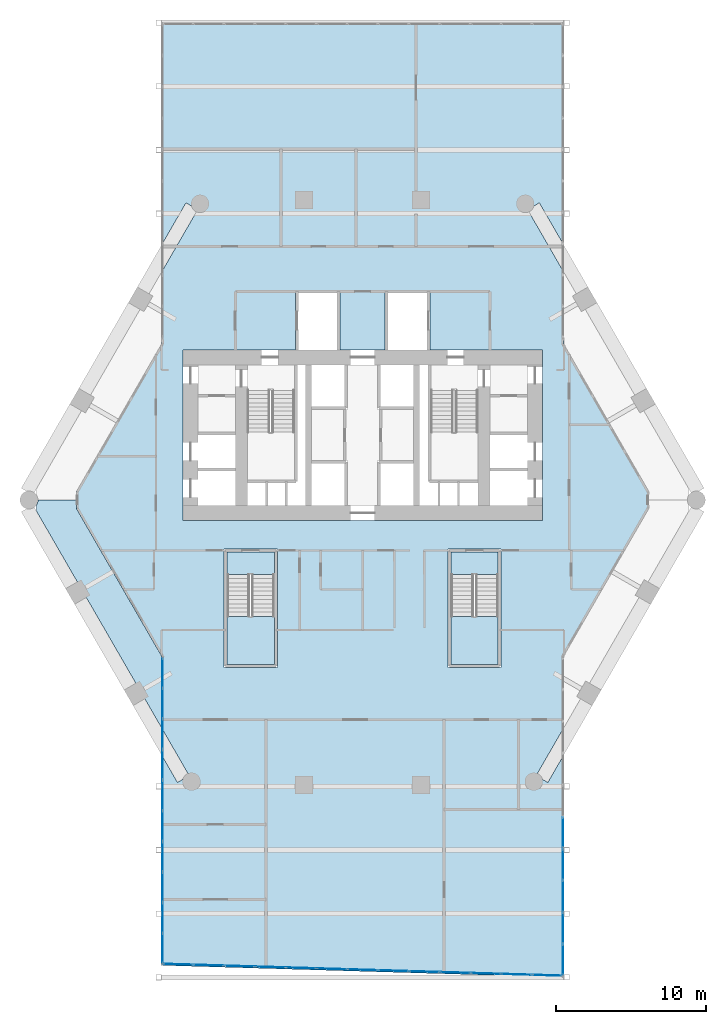
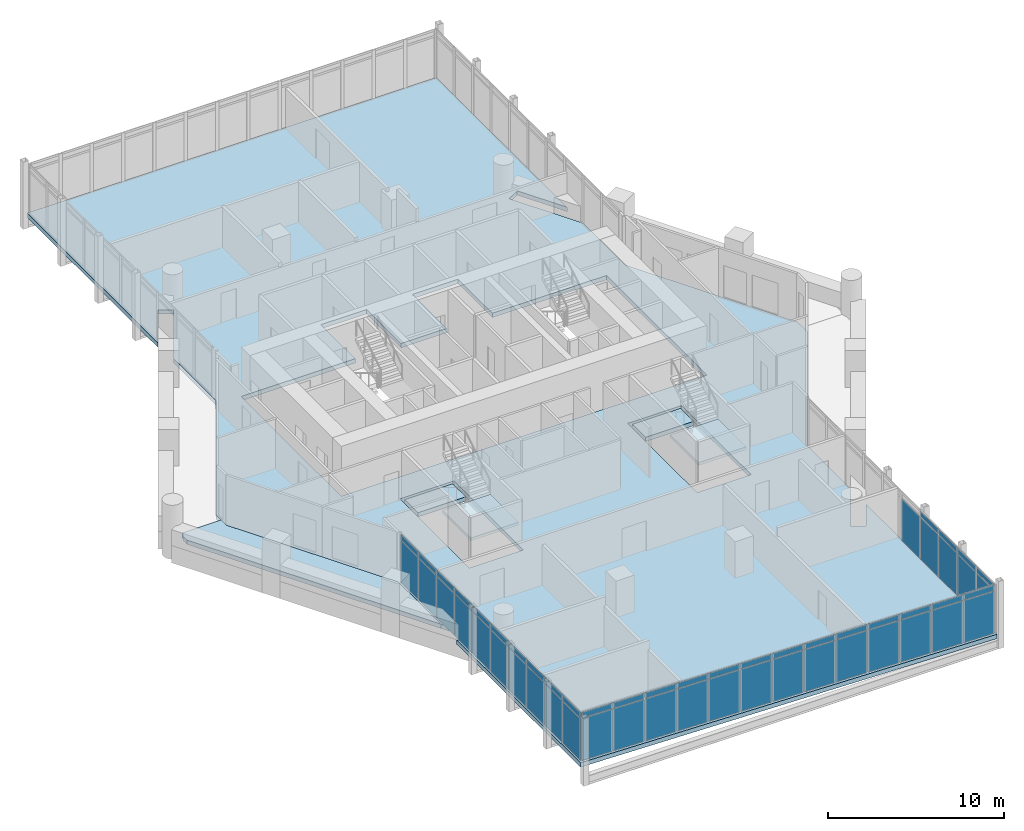
# One storey, part 20 of 28: 55 plates, 6 slabs, 5 elements without a shape of their own.
"""IFC4 building model written with IfcOpenShell, lengths in metres."""

from ifc_helpers import new_model, si_unit, direction, frame, origin, origin_2d, place, context, subcontext, project, spatial, polyline, rectangle, outline, extrude, material, layer, layer_set, type_object, element, aggregate, save


model = new_model("IFC4")

# Units and contexts
model_context = context("Model", 3, precision=1e-05, world=origin(), true_north=direction((0.0, 1.0)))
body_context = subcontext(model_context, "Body", "Model", "MODEL_VIEW")
ifc_project = project(units=[si_unit("LENGTHUNIT", "METRE"), si_unit("AREAUNIT", "SQUARE_METRE"), si_unit("VOLUMEUNIT", "CUBIC_METRE"), si_unit("PLANEANGLEUNIT", "RADIAN"), si_unit("MASSUNIT", "GRAM", prefix="KILO")], contexts=[model_context])

# Site, building, storey
site_placement = place(None, origin())
site = spatial("IfcSite", under=ifc_project, at=site_placement, CompositionType="ELEMENT")
building_placement = place(site_placement, origin())
building = spatial("IfcBuilding", under=site, at=building_placement, Name="Ostrander Bayou Hotel Tower", CompositionType="ELEMENT")
storey_placement = place(building_placement, frame((0.0, 0.0, 104.25)))
storey = spatial("IfcBuildingStorey", under=building, at=storey_placement, Name="L26", CompositionType="ELEMENT", Elevation=104.25)

# Curtain wall, plates
ifc_material_1 = material(Name="Aluminium and clear glass", Category="aluminium")
curtain_wall_type = type_object("IfcCurtainWallType", Name="CW-BAR glazed wall", PredefinedType="NOTDEFINED", material=ifc_material_1)
curtain_wall_1_placement = place(storey_placement, origin())
curtain_wall_1 = element("IfcCurtainWall", 1, at=curtain_wall_1_placement, inside=storey, type_object=curtain_wall_type, Name="CW-BAR L26:SB2S:E", PredefinedType="NOTDEFINED")
ifc_material_2 = material(Name="Clear laminated glass", Category="glass")
ifc_layer_1 = layer(ifc_material_2, 0.028076171875)
ifc_layer_set_1 = layer_set([ifc_layer_1], Name="CW-BR glazing panel 28 mm")
plate_type = type_object("IfcPlateType", Name="CW-BR glazing panel 28 mm", PredefinedType="CURTAIN_PANEL", material=ifc_layer_set_1)
plate_1_placement = place(storey_placement, frame((-13.3671875, -11.885009765625, 0.06005859375), z_axis=(0.0, 0.0, 1.0), x_axis=(0.0, -1.0, 0.0)))
plate_1 = element("IfcPlate", 2, at=plate_1_placement, type_object=plate_type, Name="CW-BAR panel 1.1", PredefinedType="CURTAIN_PANEL", context=body_context, shape_type="SweptSolid", body=[
    extrude(rectangle(XDim=1.95556640625, YDim=0.028076171875, at=origin_2d()), origin(), (0.0, 0.0, 1.0), 2.909912109375),
])
plate_2_placement = place(storey_placement, frame((-13.3671875, -11.885009765625, 3.02978515625), z_axis=(0.0, 0.0, 1.0), x_axis=(0.0, -1.0, 0.0)))
plate_2 = element("IfcPlate", 3, at=plate_2_placement, type_object=plate_type, Name="CW-BAR panel 1.2", PredefinedType="CURTAIN_PANEL", context=body_context, shape_type="SweptSolid", body=[
    extrude(rectangle(XDim=1.95556640625, YDim=0.028076171875, at=origin_2d()), origin(), (0.0, 0.0, 1.0), 0.360107421875),
])
plate_3_placement = place(storey_placement, frame((-13.3671875, -13.91552734375, 0.06005859375), z_axis=(0.0, 0.0, 1.0), x_axis=(0.0, -1.0, 0.0)))
plate_3 = element("IfcPlate", 4, at=plate_3_placement, type_object=plate_type, Name="CW-BAR panel 2.1", PredefinedType="CURTAIN_PANEL", context=body_context, shape_type="SweptSolid", body=[
    extrude(rectangle(XDim=1.985595703125, YDim=0.028076171875, at=origin_2d()), origin(), (0.0, 0.0, 1.0), 2.909912109375),
])
plate_4_placement = place(storey_placement, frame((-13.3671875, -13.91552734375, 3.02978515625), z_axis=(0.0, 0.0, 1.0), x_axis=(0.0, -1.0, 0.0)))
plate_4 = element("IfcPlate", 5, at=plate_4_placement, type_object=plate_type, Name="CW-BAR panel 2.2", PredefinedType="CURTAIN_PANEL", context=body_context, shape_type="SweptSolid", body=[
    extrude(rectangle(XDim=1.985595703125, YDim=0.028076171875, at=origin_2d()), origin(), (0.0, 0.0, 1.0), 0.360107421875),
])
plate_5_placement = place(storey_placement, frame((-13.3671875, -15.9609375, 0.06005859375), z_axis=(0.0, 0.0, 1.0), x_axis=(0.0, -1.0, 0.0)))
plate_5 = element("IfcPlate", 6, at=plate_5_placement, type_object=plate_type, Name="CW-BAR panel 3.1", PredefinedType="CURTAIN_PANEL", context=body_context, shape_type="SweptSolid", body=[
    extrude(rectangle(XDim=1.985595703125, YDim=0.028076171875, at=origin_2d()), origin(), (0.0, 0.0, 1.0), 2.909912109375),
])
plate_6_placement = place(storey_placement, frame((-13.3671875, -15.9609375, 3.02978515625), z_axis=(0.0, 0.0, 1.0), x_axis=(0.0, -1.0, 0.0)))
plate_6 = element("IfcPlate", 7, at=plate_6_placement, type_object=plate_type, Name="CW-BAR panel 3.2", PredefinedType="CURTAIN_PANEL", context=body_context, shape_type="SweptSolid", body=[
    extrude(rectangle(XDim=1.985595703125, YDim=0.028076171875, at=origin_2d()), origin(), (0.0, 0.0, 1.0), 0.360107421875),
])
plate_7_placement = place(storey_placement, frame((-13.3671875, -18.006591796875, 0.06005859375), z_axis=(0.0, 0.0, 1.0), x_axis=(0.0, -1.0, 0.0)))
plate_7 = element("IfcPlate", 8, at=plate_7_placement, type_object=plate_type, Name="CW-BAR panel 4.1", PredefinedType="CURTAIN_PANEL", context=body_context, shape_type="SweptSolid", body=[
    extrude(rectangle(XDim=1.985595703125, YDim=0.028076171875, at=origin_2d()), origin(), (0.0, 0.0, 1.0), 2.909912109375),
])
plate_8_placement = place(storey_placement, frame((-13.3671875, -18.006591796875, 3.02978515625), z_axis=(0.0, 0.0, 1.0), x_axis=(0.0, -1.0, 0.0)))
plate_8 = element("IfcPlate", 9, at=plate_8_placement, type_object=plate_type, Name="CW-BAR panel 4.2", PredefinedType="CURTAIN_PANEL", context=body_context, shape_type="SweptSolid", body=[
    extrude(rectangle(XDim=1.985595703125, YDim=0.028076171875, at=origin_2d()), origin(), (0.0, 0.0, 1.0), 0.360107421875),
])
plate_9_placement = place(storey_placement, frame((-13.3671875, -20.052001953125, 0.06005859375), z_axis=(0.0, 0.0, 1.0), x_axis=(0.0, -1.0, 0.0)))
plate_9 = element("IfcPlate", 10, at=plate_9_placement, type_object=plate_type, Name="CW-BAR panel 5.1", PredefinedType="CURTAIN_PANEL", context=body_context, shape_type="SweptSolid", body=[
    extrude(rectangle(XDim=1.985595703125, YDim=0.028076171875, at=origin_2d()), origin(), (0.0, 0.0, 1.0), 2.909912109375),
])
plate_10_placement = place(storey_placement, frame((-13.3671875, -20.052001953125, 3.02978515625), z_axis=(0.0, 0.0, 1.0), x_axis=(0.0, -1.0, 0.0)))
plate_10 = element("IfcPlate", 11, at=plate_10_placement, type_object=plate_type, Name="CW-BAR panel 5.2", PredefinedType="CURTAIN_PANEL", context=body_context, shape_type="SweptSolid", body=[
    extrude(rectangle(XDim=1.985595703125, YDim=0.028076171875, at=origin_2d()), origin(), (0.0, 0.0, 1.0), 0.360107421875),
])
plate_11_placement = place(storey_placement, frame((-13.3671875, -22.097412109375, 0.06005859375), z_axis=(0.0, 0.0, 1.0), x_axis=(0.0, -1.0, 0.0)))
plate_11 = element("IfcPlate", 12, at=plate_11_placement, type_object=plate_type, Name="CW-BAR panel 6.1", PredefinedType="CURTAIN_PANEL", context=body_context, shape_type="SweptSolid", body=[
    extrude(rectangle(XDim=1.985595703125, YDim=0.028076171875, at=origin_2d()), origin(), (0.0, 0.0, 1.0), 2.909912109375),
])
plate_12_placement = place(storey_placement, frame((-13.3671875, -22.097412109375, 3.02978515625), z_axis=(0.0, 0.0, 1.0), x_axis=(0.0, -1.0, 0.0)))
plate_12 = element("IfcPlate", 13, at=plate_12_placement, type_object=plate_type, Name="CW-BAR panel 6.2", PredefinedType="CURTAIN_PANEL", context=body_context, shape_type="SweptSolid", body=[
    extrude(rectangle(XDim=1.985595703125, YDim=0.028076171875, at=origin_2d()), origin(), (0.0, 0.0, 1.0), 0.360107421875),
])
plate_13_placement = place(storey_placement, frame((-13.3671875, -24.14306640625, 0.06005859375), z_axis=(0.0, 0.0, 1.0), x_axis=(0.0, -1.0, 0.0)))
plate_13 = element("IfcPlate", 14, at=plate_13_placement, type_object=plate_type, Name="CW-BAR panel 7.1", PredefinedType="CURTAIN_PANEL", context=body_context, shape_type="SweptSolid", body=[
    extrude(rectangle(XDim=1.985595703125, YDim=0.028076171875, at=origin_2d()), origin(), (0.0, 0.0, 1.0), 2.909912109375),
])
plate_14_placement = place(storey_placement, frame((-13.3671875, -24.14306640625, 3.02978515625), z_axis=(0.0, 0.0, 1.0), x_axis=(0.0, -1.0, 0.0)))
plate_14 = element("IfcPlate", 15, at=plate_14_placement, type_object=plate_type, Name="CW-BAR panel 7.2", PredefinedType="CURTAIN_PANEL", context=body_context, shape_type="SweptSolid", body=[
    extrude(rectangle(XDim=1.985595703125, YDim=0.028076171875, at=origin_2d()), origin(), (0.0, 0.0, 1.0), 0.360107421875),
])
plate_15_placement = place(storey_placement, frame((-13.3671875, -26.1884765625, 0.06005859375), z_axis=(0.0, 0.0, 1.0), x_axis=(0.0, -1.0, 0.0)))
plate_15 = element("IfcPlate", 16, at=plate_15_placement, type_object=plate_type, Name="CW-BAR panel 8.1", PredefinedType="CURTAIN_PANEL", context=body_context, shape_type="SweptSolid", body=[
    extrude(rectangle(XDim=1.985595703125, YDim=0.028076171875, at=origin_2d()), origin(), (0.0, 0.0, 1.0), 2.909912109375),
])
plate_16_placement = place(storey_placement, frame((-13.3671875, -26.1884765625, 3.02978515625), z_axis=(0.0, 0.0, 1.0), x_axis=(0.0, -1.0, 0.0)))
plate_16 = element("IfcPlate", 17, at=plate_16_placement, type_object=plate_type, Name="CW-BAR panel 8.2", PredefinedType="CURTAIN_PANEL", context=body_context, shape_type="SweptSolid", body=[
    extrude(rectangle(XDim=1.985595703125, YDim=0.028076171875, at=origin_2d()), origin(), (0.0, 0.0, 1.0), 0.360107421875),
])
plate_17_placement = place(storey_placement, frame((-13.3671875, -28.23388671875, 0.06005859375), z_axis=(0.0, 0.0, 1.0), x_axis=(0.0, -1.0, 0.0)))
plate_17 = element("IfcPlate", 18, at=plate_17_placement, type_object=plate_type, Name="CW-BAR panel 9.1", PredefinedType="CURTAIN_PANEL", context=body_context, shape_type="SweptSolid", body=[
    extrude(rectangle(XDim=1.985595703125, YDim=0.028076171875, at=origin_2d()), origin(), (0.0, 0.0, 1.0), 2.909912109375),
])
plate_18_placement = place(storey_placement, frame((-13.3671875, -28.23388671875, 3.02978515625), z_axis=(0.0, 0.0, 1.0), x_axis=(0.0, -1.0, 0.0)))
plate_18 = element("IfcPlate", 19, at=plate_18_placement, type_object=plate_type, Name="CW-BAR panel 9.2", PredefinedType="CURTAIN_PANEL", context=body_context, shape_type="SweptSolid", body=[
    extrude(rectangle(XDim=1.985595703125, YDim=0.028076171875, at=origin_2d()), origin(), (0.0, 0.0, 1.0), 0.360107421875),
])
plate_19_placement = place(storey_placement, frame((-13.3671875, -30.264404296875, 0.06005859375), z_axis=(0.0, 0.0, 1.0), x_axis=(0.0, -1.0, 0.0)))
plate_19 = element("IfcPlate", 20, at=plate_19_placement, type_object=plate_type, Name="CW-BAR panel 10.1", PredefinedType="CURTAIN_PANEL", context=body_context, shape_type="SweptSolid", body=[
    extrude(rectangle(XDim=1.95556640625, YDim=0.028076171875, at=origin_2d()), origin(), (0.0, 0.0, 1.0), 2.909912109375),
])
plate_20_placement = place(storey_placement, frame((-13.3671875, -30.264404296875, 3.02978515625), z_axis=(0.0, 0.0, 1.0), x_axis=(0.0, -1.0, 0.0)))
plate_20 = element("IfcPlate", 21, at=plate_20_placement, type_object=plate_type, Name="CW-BAR panel 10.2", PredefinedType="CURTAIN_PANEL", context=body_context, shape_type="SweptSolid", body=[
    extrude(rectangle(XDim=1.95556640625, YDim=0.028076171875, at=origin_2d()), origin(), (0.0, 0.0, 1.0), 0.360107421875),
])
aggregate(curtain_wall_1, [plate_1, plate_2, plate_3, plate_4, plate_5, plate_6, plate_7, plate_8, plate_9, plate_10, plate_11, plate_12, plate_13, plate_14, plate_15, plate_16, plate_17, plate_18, plate_19, plate_20])

curtain_wall_2_placement = place(storey_placement, origin())
curtain_wall_2 = element("IfcCurtainWall", 22, at=curtain_wall_2_placement, inside=storey, type_object=curtain_wall_type, Name="CW-BAR L26:SB2S:T", PredefinedType="NOTDEFINED")
plate_21_placement = place(storey_placement, frame((-12.323974609375, -31.333251953125, 0.06005859375), z_axis=(0.0, 0.0, 1.0), x_axis=(0.999557482631, -0.029746242041, 0.0)))
plate_21 = element("IfcPlate", 23, at=plate_21_placement, type_object=plate_type, Name="CW-BAR panel 1.1", PredefinedType="CURTAIN_PANEL", context=body_context, shape_type="SweptSolid", body=[
    extrude(rectangle(XDim=1.96728515625, YDim=0.028076171875, at=origin_2d()), origin(), (0.0, 0.0, 1.0), 2.909912109375),
])
plate_22_placement = place(storey_placement, frame((-12.323974609375, -31.333251953125, 3.02978515625), z_axis=(0.0, 0.0, 1.0), x_axis=(0.999557482631, -0.029746242041, 0.0)))
plate_22 = element("IfcPlate", 24, at=plate_22_placement, type_object=plate_type, Name="CW-BAR panel 1.2", PredefinedType="CURTAIN_PANEL", context=body_context, shape_type="SweptSolid", body=[
    extrude(rectangle(XDim=1.96728515625, YDim=0.028076171875, at=origin_2d()), origin(), (0.0, 0.0, 1.0), 0.360107421875),
])
plate_23_placement = place(storey_placement, frame((-10.282470703125, -31.39404296875, 0.06005859375), z_axis=(0.0, 0.0, 1.0), x_axis=(0.999557482631, -0.029746242041, 0.0)))
plate_23 = element("IfcPlate", 25, at=plate_23_placement, type_object=plate_type, Name="CW-BAR panel 2.1", PredefinedType="CURTAIN_PANEL", context=body_context, shape_type="SweptSolid", body=[
    extrude(rectangle(XDim=1.997314453125, YDim=0.028076171875, at=origin_2d()), origin(), (0.0, 0.0, 1.0), 2.909912109375),
])
plate_24_placement = place(storey_placement, frame((-10.282470703125, -31.39404296875, 3.02978515625), z_axis=(0.0, 0.0, 1.0), x_axis=(0.999557482631, -0.029746242041, 0.0)))
plate_24 = element("IfcPlate", 26, at=plate_24_placement, type_object=plate_type, Name="CW-BAR panel 2.2", PredefinedType="CURTAIN_PANEL", context=body_context, shape_type="SweptSolid", body=[
    extrude(rectangle(XDim=1.997314453125, YDim=0.028076171875, at=origin_2d()), origin(), (0.0, 0.0, 1.0), 0.360107421875),
])
plate_25_placement = place(storey_placement, frame((-8.22607421875, -31.455078125, 0.06005859375), z_axis=(0.0, 0.0, 1.0), x_axis=(0.999557482631, -0.029746242041, 0.0)))
plate_25 = element("IfcPlate", 27, at=plate_25_placement, type_object=plate_type, Name="CW-BAR panel 3.1", PredefinedType="CURTAIN_PANEL", context=body_context, shape_type="SweptSolid", body=[
    extrude(rectangle(XDim=1.997314453125, YDim=0.028076171875, at=origin_2d()), origin(), (0.0, 0.0, 1.0), 2.909912109375),
])
plate_26_placement = place(storey_placement, frame((-8.22607421875, -31.455078125, 3.02978515625), z_axis=(0.0, 0.0, 1.0), x_axis=(0.999557482631, -0.029746242041, 0.0)))
plate_26 = element("IfcPlate", 28, at=plate_26_placement, type_object=plate_type, Name="CW-BAR panel 3.2", PredefinedType="CURTAIN_PANEL", context=body_context, shape_type="SweptSolid", body=[
    extrude(rectangle(XDim=1.997314453125, YDim=0.028076171875, at=origin_2d()), origin(), (0.0, 0.0, 1.0), 0.360107421875),
])
plate_27_placement = place(storey_placement, frame((-6.16943359375, -31.516357421875, 0.06005859375), z_axis=(0.0, 0.0, 1.0), x_axis=(0.999557482631, -0.029746242041, 0.0)))
plate_27 = element("IfcPlate", 29, at=plate_27_placement, type_object=plate_type, Name="CW-BAR panel 4.1", PredefinedType="CURTAIN_PANEL", context=body_context, shape_type="SweptSolid", body=[
    extrude(rectangle(XDim=1.997314453125, YDim=0.028076171875, at=origin_2d()), origin(), (0.0, 0.0, 1.0), 2.909912109375),
])
plate_28_placement = place(storey_placement, frame((-6.16943359375, -31.516357421875, 3.02978515625), z_axis=(0.0, 0.0, 1.0), x_axis=(0.999557482631, -0.029746242041, 0.0)))
plate_28 = element("IfcPlate", 30, at=plate_28_placement, type_object=plate_type, Name="CW-BAR panel 4.2", PredefinedType="CURTAIN_PANEL", context=body_context, shape_type="SweptSolid", body=[
    extrude(rectangle(XDim=1.997314453125, YDim=0.028076171875, at=origin_2d()), origin(), (0.0, 0.0, 1.0), 0.360107421875),
])
plate_29_placement = place(storey_placement, frame((-4.113037109375, -31.57763671875, 0.06005859375), z_axis=(0.0, 0.0, 1.0), x_axis=(0.999557482631, -0.029746242041, 0.0)))
plate_29 = element("IfcPlate", 31, at=plate_29_placement, type_object=plate_type, Name="CW-BAR panel 5.1", PredefinedType="CURTAIN_PANEL", context=body_context, shape_type="SweptSolid", body=[
    extrude(rectangle(XDim=1.997314453125, YDim=0.028076171875, at=origin_2d()), origin(), (0.0, 0.0, 1.0), 2.909912109375),
])
plate_30_placement = place(storey_placement, frame((-4.113037109375, -31.57763671875, 3.02978515625), z_axis=(0.0, 0.0, 1.0), x_axis=(0.999557482631, -0.029746242041, 0.0)))
plate_30 = element("IfcPlate", 32, at=plate_30_placement, type_object=plate_type, Name="CW-BAR panel 5.2", PredefinedType="CURTAIN_PANEL", context=body_context, shape_type="SweptSolid", body=[
    extrude(rectangle(XDim=1.997314453125, YDim=0.028076171875, at=origin_2d()), origin(), (0.0, 0.0, 1.0), 0.360107421875),
])
plate_31_placement = place(storey_placement, frame((-2.056396484375, -31.638916015625, 0.06005859375), z_axis=(0.0, 0.0, 1.0), x_axis=(0.999557482631, -0.029746242041, 0.0)))
plate_31 = element("IfcPlate", 33, at=plate_31_placement, type_object=plate_type, Name="CW-BAR panel 6.1", PredefinedType="CURTAIN_PANEL", context=body_context, shape_type="SweptSolid", body=[
    extrude(rectangle(XDim=1.997314453125, YDim=0.028076171875, at=origin_2d()), origin(), (0.0, 0.0, 1.0), 2.909912109375),
])
plate_32_placement = place(storey_placement, frame((-2.056396484375, -31.638916015625, 3.02978515625), z_axis=(0.0, 0.0, 1.0), x_axis=(0.999557482631, -0.029746242041, 0.0)))
plate_32 = element("IfcPlate", 34, at=plate_32_placement, type_object=plate_type, Name="CW-BAR panel 6.2", PredefinedType="CURTAIN_PANEL", context=body_context, shape_type="SweptSolid", body=[
    extrude(rectangle(XDim=1.997314453125, YDim=0.028076171875, at=origin_2d()), origin(), (0.0, 0.0, 1.0), 0.360107421875),
])
plate_33_placement = place(storey_placement, frame((0.0, -31.699951171875, 0.06005859375), z_axis=(0.0, 0.0, 1.0), x_axis=(0.999557482631, -0.029746242041, 0.0)))
plate_33 = element("IfcPlate", 35, at=plate_33_placement, type_object=plate_type, Name="CW-BAR panel 7.1", PredefinedType="CURTAIN_PANEL", context=body_context, shape_type="SweptSolid", body=[
    extrude(rectangle(XDim=1.997314453125, YDim=0.028076171875, at=origin_2d()), origin(), (0.0, 0.0, 1.0), 2.909912109375),
])
plate_34_placement = place(storey_placement, frame((0.0, -31.699951171875, 3.02978515625), z_axis=(0.0, 0.0, 1.0), x_axis=(0.999557482631, -0.029746242041, 0.0)))
plate_34 = element("IfcPlate", 36, at=plate_34_placement, type_object=plate_type, Name="CW-BAR panel 7.2", PredefinedType="CURTAIN_PANEL", context=body_context, shape_type="SweptSolid", body=[
    extrude(rectangle(XDim=1.997314453125, YDim=0.028076171875, at=origin_2d()), origin(), (0.0, 0.0, 1.0), 0.360107421875),
])
plate_35_placement = place(storey_placement, frame((2.056396484375, -31.76123046875, 0.06005859375), z_axis=(0.0, 0.0, 1.0), x_axis=(0.999557482631, -0.029746242041, 0.0)))
plate_35 = element("IfcPlate", 37, at=plate_35_placement, type_object=plate_type, Name="CW-BAR panel 8.1", PredefinedType="CURTAIN_PANEL", context=body_context, shape_type="SweptSolid", body=[
    extrude(rectangle(XDim=1.997314453125, YDim=0.028076171875, at=origin_2d()), origin(), (0.0, 0.0, 1.0), 2.909912109375),
])
plate_36_placement = place(storey_placement, frame((2.056396484375, -31.76123046875, 3.02978515625), z_axis=(0.0, 0.0, 1.0), x_axis=(0.999557482631, -0.029746242041, 0.0)))
plate_36 = element("IfcPlate", 38, at=plate_36_placement, type_object=plate_type, Name="CW-BAR panel 8.2", PredefinedType="CURTAIN_PANEL", context=body_context, shape_type="SweptSolid", body=[
    extrude(rectangle(XDim=1.997314453125, YDim=0.028076171875, at=origin_2d()), origin(), (0.0, 0.0, 1.0), 0.360107421875),
])
plate_37_placement = place(storey_placement, frame((4.113037109375, -31.822509765625, 0.06005859375), z_axis=(0.0, 0.0, 1.0), x_axis=(0.999557482631, -0.029746242041, 0.0)))
plate_37 = element("IfcPlate", 39, at=plate_37_placement, type_object=plate_type, Name="CW-BAR panel 9.1", PredefinedType="CURTAIN_PANEL", context=body_context, shape_type="SweptSolid", body=[
    extrude(rectangle(XDim=1.997314453125, YDim=0.028076171875, at=origin_2d()), origin(), (0.0, 0.0, 1.0), 2.909912109375),
])
plate_38_placement = place(storey_placement, frame((4.113037109375, -31.822509765625, 3.02978515625), z_axis=(0.0, 0.0, 1.0), x_axis=(0.999557482631, -0.029746242041, 0.0)))
plate_38 = element("IfcPlate", 40, at=plate_38_placement, type_object=plate_type, Name="CW-BAR panel 9.2", PredefinedType="CURTAIN_PANEL", context=body_context, shape_type="SweptSolid", body=[
    extrude(rectangle(XDim=1.997314453125, YDim=0.028076171875, at=origin_2d()), origin(), (0.0, 0.0, 1.0), 0.360107421875),
])
plate_39_placement = place(storey_placement, frame((6.16943359375, -31.883544921875, 0.06005859375), z_axis=(0.0, 0.0, 1.0), x_axis=(0.999557482631, -0.029746242041, 0.0)))
plate_39 = element("IfcPlate", 41, at=plate_39_placement, type_object=plate_type, Name="CW-BAR panel 10.1", PredefinedType="CURTAIN_PANEL", context=body_context, shape_type="SweptSolid", body=[
    extrude(rectangle(XDim=1.997314453125, YDim=0.028076171875, at=origin_2d()), origin(), (0.0, 0.0, 1.0), 2.909912109375),
])
plate_40_placement = place(storey_placement, frame((6.16943359375, -31.883544921875, 3.02978515625), z_axis=(0.0, 0.0, 1.0), x_axis=(0.999557482631, -0.029746242041, 0.0)))
plate_40 = element("IfcPlate", 42, at=plate_40_placement, type_object=plate_type, Name="CW-BAR panel 10.2", PredefinedType="CURTAIN_PANEL", context=body_context, shape_type="SweptSolid", body=[
    extrude(rectangle(XDim=1.997314453125, YDim=0.028076171875, at=origin_2d()), origin(), (0.0, 0.0, 1.0), 0.360107421875),
])
plate_41_placement = place(storey_placement, frame((8.22607421875, -31.94482421875, 0.06005859375), z_axis=(0.0, 0.0, 1.0), x_axis=(0.999557482631, -0.029746242041, 0.0)))
plate_41 = element("IfcPlate", 43, at=plate_41_placement, type_object=plate_type, Name="CW-BAR panel 11.1", PredefinedType="CURTAIN_PANEL", context=body_context, shape_type="SweptSolid", body=[
    extrude(rectangle(XDim=1.997314453125, YDim=0.028076171875, at=origin_2d()), origin(), (0.0, 0.0, 1.0), 2.909912109375),
])
plate_42_placement = place(storey_placement, frame((8.22607421875, -31.94482421875, 3.02978515625), z_axis=(0.0, 0.0, 1.0), x_axis=(0.999557482631, -0.029746242041, 0.0)))
plate_42 = element("IfcPlate", 44, at=plate_42_placement, type_object=plate_type, Name="CW-BAR panel 11.2", PredefinedType="CURTAIN_PANEL", context=body_context, shape_type="SweptSolid", body=[
    extrude(rectangle(XDim=1.997314453125, YDim=0.028076171875, at=origin_2d()), origin(), (0.0, 0.0, 1.0), 0.360107421875),
])
plate_43_placement = place(storey_placement, frame((10.282470703125, -32.006103515625, 0.06005859375), z_axis=(0.0, 0.0, 1.0), x_axis=(0.999557482631, -0.029746242041, 0.0)))
plate_43 = element("IfcPlate", 45, at=plate_43_placement, type_object=plate_type, Name="CW-BAR panel 12.1", PredefinedType="CURTAIN_PANEL", context=body_context, shape_type="SweptSolid", body=[
    extrude(rectangle(XDim=1.997314453125, YDim=0.028076171875, at=origin_2d()), origin(), (0.0, 0.0, 1.0), 2.909912109375),
])
plate_44_placement = place(storey_placement, frame((10.282470703125, -32.006103515625, 3.02978515625), z_axis=(0.0, 0.0, 1.0), x_axis=(0.999557482631, -0.029746242041, 0.0)))
plate_44 = element("IfcPlate", 46, at=plate_44_placement, type_object=plate_type, Name="CW-BAR panel 12.2", PredefinedType="CURTAIN_PANEL", context=body_context, shape_type="SweptSolid", body=[
    extrude(rectangle(XDim=1.997314453125, YDim=0.028076171875, at=origin_2d()), origin(), (0.0, 0.0, 1.0), 0.360107421875),
])
plate_45_placement = place(storey_placement, frame((12.323974609375, -32.066650390625, 0.06005859375), z_axis=(0.0, 0.0, 1.0), x_axis=(0.999557482631, -0.029746242041, 0.0)))
plate_45 = element("IfcPlate", 47, at=plate_45_placement, type_object=plate_type, Name="CW-BAR panel 13.1", PredefinedType="CURTAIN_PANEL", context=body_context, shape_type="SweptSolid", body=[
    extrude(rectangle(XDim=1.96728515625, YDim=0.028076171875, at=origin_2d()), origin(), (0.0, 0.0, 1.0), 2.909912109375),
])
plate_46_placement = place(storey_placement, frame((12.323974609375, -32.066650390625, 3.02978515625), z_axis=(0.0, 0.0, 1.0), x_axis=(0.999557482631, -0.029746242041, 0.0)))
plate_46 = element("IfcPlate", 48, at=plate_46_placement, type_object=plate_type, Name="CW-BAR panel 13.2", PredefinedType="CURTAIN_PANEL", context=body_context, shape_type="SweptSolid", body=[
    extrude(rectangle(XDim=1.96728515625, YDim=0.028076171875, at=origin_2d()), origin(), (0.0, 0.0, 1.0), 0.360107421875),
])
aggregate(curtain_wall_2, [plate_21, plate_22, plate_23, plate_24, plate_25, plate_26, plate_27, plate_28, plate_29, plate_30, plate_31, plate_32, plate_33, plate_34, plate_35, plate_36, plate_37, plate_38, plate_39, plate_40, plate_41, plate_42, plate_43, plate_44, plate_45, plate_46])

curtain_wall_3_placement = place(storey_placement, origin())
curtain_wall_3 = element("IfcCurtainWall", 49, at=curtain_wall_3_placement, inside=storey, type_object=curtain_wall_type, Name="CW-BAR L26:SB2S:W", PredefinedType="NOTDEFINED")
plate_47_placement = place(storey_placement, frame((13.3671875, -22.53515625, 0.06005859375), z_axis=(0.0, 0.0, 1.0), x_axis=(0.0, -1.0, 0.0)))
plate_47 = element("IfcPlate", 50, at=plate_47_placement, type_object=plate_type, Name="CW-BAR panel 6.1", PredefinedType="CURTAIN_PANEL", context=body_context, shape_type="SweptSolid", body=[
    extrude(rectangle(XDim=2.06494140625, YDim=0.028076171875, at=origin_2d()), origin(), (0.0, 0.0, 1.0), 2.909912109375),
])
plate_48_placement = place(storey_placement, frame((13.3671875, -24.66015625, 0.06005859375), z_axis=(0.0, 0.0, 1.0), x_axis=(0.0, -1.0, 0.0)))
plate_48 = element("IfcPlate", 51, at=plate_48_placement, type_object=plate_type, Name="CW-BAR panel 7.1", PredefinedType="CURTAIN_PANEL", context=body_context, shape_type="SweptSolid", body=[
    extrude(rectangle(XDim=2.06494140625, YDim=0.028076171875, at=origin_2d()), origin(), (0.0, 0.0, 1.0), 2.909912109375),
])
plate_49_placement = place(storey_placement, frame((13.3671875, -24.66015625, 3.02978515625), z_axis=(0.0, 0.0, 1.0), x_axis=(0.0, -1.0, 0.0)))
plate_49 = element("IfcPlate", 52, at=plate_49_placement, type_object=plate_type, Name="CW-BAR panel 7.2", PredefinedType="CURTAIN_PANEL", context=body_context, shape_type="SweptSolid", body=[
    extrude(rectangle(XDim=2.06494140625, YDim=0.028076171875, at=origin_2d()), origin(), (0.0, 0.0, 1.0), 0.360107421875),
])
plate_50_placement = place(storey_placement, frame((13.3671875, -26.78515625, 0.06005859375), z_axis=(0.0, 0.0, 1.0), x_axis=(0.0, -1.0, 0.0)))
plate_50 = element("IfcPlate", 53, at=plate_50_placement, type_object=plate_type, Name="CW-BAR panel 8.1", PredefinedType="CURTAIN_PANEL", context=body_context, shape_type="SweptSolid", body=[
    extrude(rectangle(XDim=2.06494140625, YDim=0.028076171875, at=origin_2d()), origin(), (0.0, 0.0, 1.0), 2.909912109375),
])
plate_51_placement = place(storey_placement, frame((13.3671875, -26.78515625, 3.02978515625), z_axis=(0.0, 0.0, 1.0), x_axis=(0.0, -1.0, 0.0)))
plate_51 = element("IfcPlate", 54, at=plate_51_placement, type_object=plate_type, Name="CW-BAR panel 8.2", PredefinedType="CURTAIN_PANEL", context=body_context, shape_type="SweptSolid", body=[
    extrude(rectangle(XDim=2.06494140625, YDim=0.028076171875, at=origin_2d()), origin(), (0.0, 0.0, 1.0), 0.360107421875),
])
plate_52_placement = place(storey_placement, frame((13.3671875, -28.91015625, 0.06005859375), z_axis=(0.0, 0.0, 1.0), x_axis=(0.0, -1.0, 0.0)))
plate_52 = element("IfcPlate", 55, at=plate_52_placement, type_object=plate_type, Name="CW-BAR panel 9.1", PredefinedType="CURTAIN_PANEL", context=body_context, shape_type="SweptSolid", body=[
    extrude(rectangle(XDim=2.06494140625, YDim=0.028076171875, at=origin_2d()), origin(), (0.0, 0.0, 1.0), 2.909912109375),
])
plate_53_placement = place(storey_placement, frame((13.3671875, -28.91015625, 3.02978515625), z_axis=(0.0, 0.0, 1.0), x_axis=(0.0, -1.0, 0.0)))
plate_53 = element("IfcPlate", 56, at=plate_53_placement, type_object=plate_type, Name="CW-BAR panel 9.2", PredefinedType="CURTAIN_PANEL", context=body_context, shape_type="SweptSolid", body=[
    extrude(rectangle(XDim=2.06494140625, YDim=0.028076171875, at=origin_2d()), origin(), (0.0, 0.0, 1.0), 0.360107421875),
])
plate_54_placement = place(storey_placement, frame((13.3671875, -31.020263671875, 0.06005859375), z_axis=(0.0, 0.0, 1.0), x_axis=(0.0, -1.0, 0.0)))
plate_54 = element("IfcPlate", 57, at=plate_54_placement, type_object=plate_type, Name="CW-BAR panel 10.1", PredefinedType="CURTAIN_PANEL", context=body_context, shape_type="SweptSolid", body=[
    extrude(rectangle(XDim=2.03515625, YDim=0.028076171875, at=origin_2d()), origin(), (0.0, 0.0, 1.0), 2.909912109375),
])
plate_55_placement = place(storey_placement, frame((13.3671875, -31.020263671875, 3.02978515625), z_axis=(0.0, 0.0, 1.0), x_axis=(0.0, -1.0, 0.0)))
plate_55 = element("IfcPlate", 58, at=plate_55_placement, type_object=plate_type, Name="CW-BAR panel 10.2", PredefinedType="CURTAIN_PANEL", context=body_context, shape_type="SweptSolid", body=[
    extrude(rectangle(XDim=2.03515625, YDim=0.028076171875, at=origin_2d()), origin(), (0.0, 0.0, 1.0), 0.360107421875),
])
aggregate(curtain_wall_3, [plate_47, plate_48, plate_49, plate_50, plate_51, plate_52, plate_53, plate_54, plate_55])

# Slabs
ifc_material_3 = material(Name="Concrete f'c 40 MPa", Category="concrete")
ifc_layer_2 = layer(ifc_material_3, 0.300048828125)
ifc_layer_set_2 = layer_set([ifc_layer_2], Name="SL1 floor slab 300 mm f'c 40 MPa")
slab_type_1 = type_object("IfcSlabType", Name="SL1 floor slab 300 mm f'c 40 MPa", PredefinedType="FLOOR", material=ifc_layer_set_2)
slab_1_placement = place(storey_placement, frame((0.0, 0.0, -0.300048828125)))
element("IfcSlab", 59, at=slab_1_placement, inside=storey, type_object=slab_type_1, Name="SL1 L26 1", PredefinedType="FLOOR", context=body_context, shape_type="SweptSolid", body=[
    extrude(outline(polyline([(-12.364501953125, -19.18408203125), (-11.585205078125, -18.734130859375), (-13.442138671875, -15.517333984375), (-13.442138671875, -10.71728515625), (-19.094482421875, -0.92724609375), (-19.094482421875, 0.272705078125), (-13.442138671875, 10.062744140625), (-13.442138671875, 14.86279296875), (-11.018310546875, 19.061279296875), (-11.797607421875, 19.511474609375), (-13.442138671875, 16.662841796875), (-13.442138671875, 31.54541015625), (13.442138671875, 31.54541015625), (13.442138671875, 16.662841796875), (11.797607421875, 19.511474609375), (11.018310546875, 19.061279296875), (13.442138671875, 14.86279296875), (13.442138671875, 10.062744140625), (19.094482421875, 0.272705078125), (19.094482421875, -0.92724609375), (13.442138671875, -10.71728515625), (13.442138671875, -15.517333984375), (11.585205078125, -18.734130859375), (12.364501953125, -19.18408203125), (13.442138671875, -17.3173828125), (13.442138671875, -32.199951171875), (-13.442138671875, -31.39990234375), (-13.442138671875, -17.3173828125), (-12.364501953125, -19.18408203125)]), holes=[polyline([(-12.0, -1.699951171875), (12.0, -1.699951171875), (12.0, 9.699951171875), (4.5, 9.699951171875), (4.5, 13.60009765625), (1.5, 13.60009765625), (1.5, 9.699951171875), (-1.5, 9.699951171875), (-1.5, 13.60009765625), (-4.5, 13.60009765625), (-4.5, 9.699951171875), (-12.0, 9.699951171875), (-12.0, -1.699951171875)]), polyline([(9.25, -3.60009765625), (5.699951171875, -3.60009765625), (5.699951171875, -11.5), (9.25, -11.5), (9.25, -3.60009765625)]), polyline([(-5.699951171875, -3.60009765625), (-9.25, -3.60009765625), (-9.25, -11.5), (-5.699951171875, -11.5), (-5.699951171875, -3.60009765625)])]), origin(), (0.0, 0.0, 1.0), 0.300048828125),
])
slab_2_placement = place(storey_placement, frame((0.0, 0.0, -0.300048828125)))
element("IfcSlab", 60, at=slab_2_placement, inside=storey, type_object=slab_type_1, Name="cslab:L26:006", PredefinedType="FLOOR", context=body_context, shape_type="SweptSolid", body=[
    extrude(outline(polyline([(9.050048828125, -5.300048828125), (9.050048828125, -3.800048828125), (5.89990234375, -3.800048828125), (5.89990234375, -5.300048828125), (9.050048828125, -5.300048828125)])), origin(), (0.0, 0.0, 1.0), 0.300048828125),
])
slab_3_placement = place(storey_placement, frame((0.0, 0.0, -0.300048828125)))
element("IfcSlab", 61, at=slab_3_placement, inside=storey, type_object=slab_type_1, Name="cslab:L26:007", PredefinedType="FLOOR", context=body_context, shape_type="SweptSolid", body=[
    extrude(outline(polyline([(-5.89990234375, -5.300048828125), (-5.89990234375, -3.800048828125), (-9.050048828125, -3.800048828125), (-9.050048828125, -5.300048828125), (-5.89990234375, -5.300048828125)])), origin(), (0.0, 0.0, 1.0), 0.300048828125),
])
ifc_material_4 = material(Name="Concrete f'c 40 MPa", Category="concrete")
ifc_layer_3 = layer(ifc_material_4, 0.300048828125)
ifc_layer_set_3 = layer_set([ifc_layer_3], Name="SL4 loggia slab 300 mm f'c 40 MPa")
slab_type_2 = type_object("IfcSlabType", Name="SL4 loggia slab 300 mm f'c 40 MPa", PredefinedType="FLOOR", material=ifc_layer_set_3)
slab_4_placement = place(storey_placement, frame((0.0, 0.0, -0.300048828125)))
element("IfcSlab", 62, at=slab_4_placement, inside=storey, type_object=slab_type_2, Name="SL4 LOGGIA L26 SW 1", PredefinedType="FLOOR", context=body_context, shape_type="SweptSolid", body=[
    extrude(outline(polyline([(-13.442138671875, -15.517333984375), (-14.5625, -13.576904296875), (-15.132568359375, -12.589599609375), (-18.46923828125, -6.810302734375), (-19.039306640625, -5.822998046875), (-21.779296875, -1.077392578125), (-21.779296875, -0.65673828125), (-21.725830078125, -0.556884765625), (-21.691650390625, -0.4443359375), (-21.68017578125, -0.327392578125), (-19.094482421875, -0.327392578125), (-19.094482421875, -0.92724609375), (-13.442138671875, -10.71728515625), (-13.442138671875, -15.517333984375)])), origin(), (0.0, 0.0, 1.0), 0.300048828125),
])

# Stair, slab
ifc_material_5 = material(Name="Concrete f'c 45 MPa", Category="concrete")
stair_type = type_object("IfcStairType", Name="ST1 exit stair 1500 mm f'c 45 MPa", PredefinedType="HALF_TURN_STAIR", material=ifc_material_5)
stair_1_placement = place(storey_placement, origin())
stair_1 = element("IfcStair", 63, at=stair_1_placement, inside=storey, type_object=stair_type, Name="L26 exit stair C", PredefinedType="HALF_TURN_STAIR")
ifc_material_6 = material(Name="Concrete f'c 45 MPa", Category="concrete")
ifc_layer_4 = layer(ifc_material_6, 0.199951171875)
ifc_layer_set_4 = layer_set([ifc_layer_4], Name="SL8 stair landing 200 mm f'c 45 MPa")
slab_type_3 = type_object("IfcSlabType", Name="SL8 stair landing 200 mm f'c 45 MPa", PredefinedType="LANDING", material=ifc_layer_set_4)
slab_5_placement = place(storey_placement, frame((0.0, 0.0, 1.675048828125)))
slab_5 = element("IfcSlab", 64, at=slab_5_placement, type_object=slab_type_3, Name="STC landing 1", PredefinedType="LANDING", context=body_context, shape_type="SweptSolid", body=[
    extrude(outline(polyline([(5.89990234375, -8.10009765625), (5.89990234375, -11.300048828125), (9.050048828125, -11.300048828125), (9.050048828125, -8.10009765625), (5.89990234375, -8.10009765625)])), origin(), (0.0, 0.0, 1.0), 0.199951171875),
])
aggregate(stair_1, [slab_5])

stair_2_placement = place(storey_placement, origin())
stair_2 = element("IfcStair", 65, at=stair_2_placement, inside=storey, type_object=stair_type, Name="L26 exit stair D", PredefinedType="HALF_TURN_STAIR")
slab_6_placement = place(storey_placement, frame((0.0, 0.0, 1.675048828125)))
slab_6 = element("IfcSlab", 66, at=slab_6_placement, type_object=slab_type_3, Name="STD landing 1", PredefinedType="LANDING", context=body_context, shape_type="SweptSolid", body=[
    extrude(outline(polyline([(-9.050048828125, -8.10009765625), (-9.050048828125, -11.300048828125), (-5.89990234375, -11.300048828125), (-5.89990234375, -8.10009765625), (-9.050048828125, -8.10009765625)])), origin(), (0.0, 0.0, 1.0), 0.199951171875),
])
aggregate(stair_2, [slab_6])

save(model, "model.ifc")
